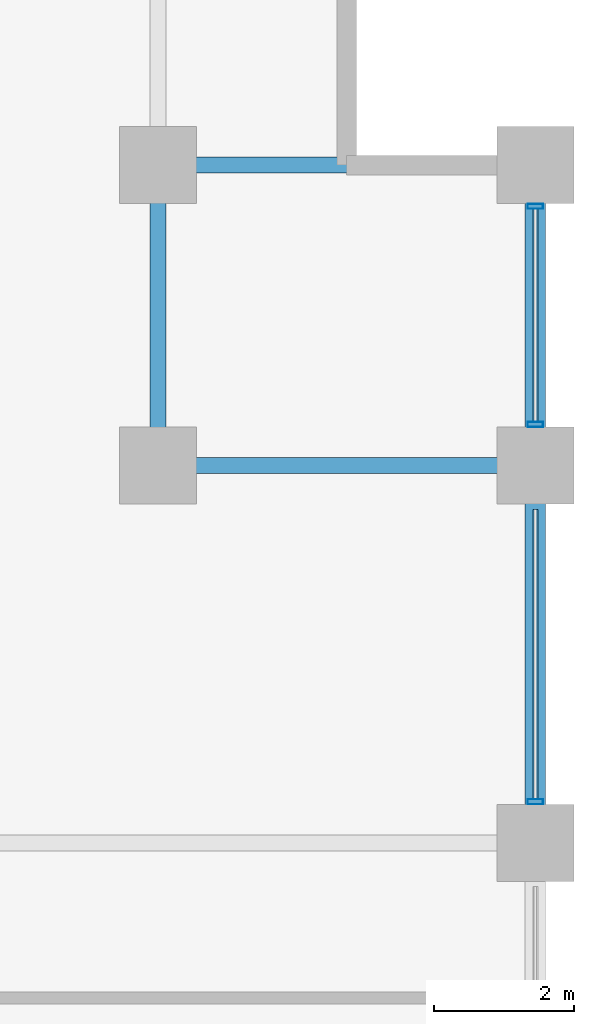
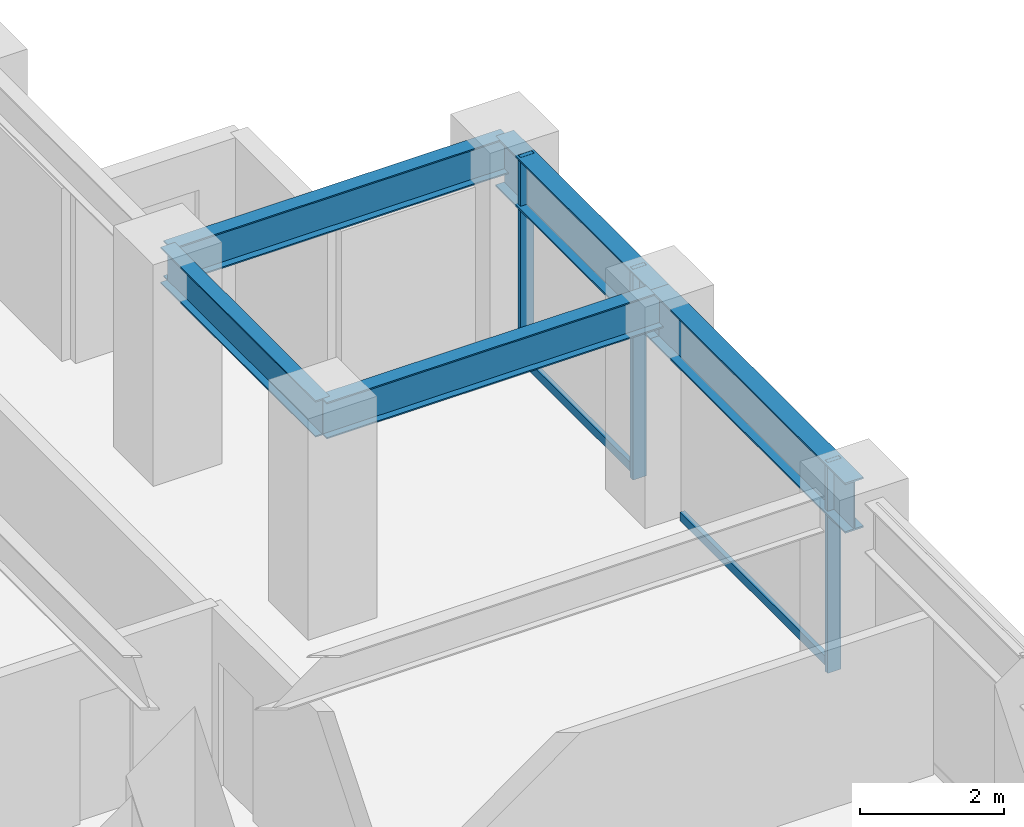
# One storey, part 15 of 25: 5 beams, 5 members, 1 element without a shape of its own.
"""IFC4 building model written with IfcOpenShell, lengths in metres."""

from ifc_helpers import new_model, si_unit, direction, frame, origin, origin_2d, place, context, subcontext, project, spatial, hollow_rectangle, i_section, extrude, material, layer, layer_set, material_profile, profile_set, type_object, element, aggregate, save


model = new_model("IFC4")

# Units and contexts
model_context = context("Model", 3, precision=1e-05, world=origin(), true_north=direction((0.0, 1.0)))
body_context = subcontext(model_context, "Body", "Model", "MODEL_VIEW")
ifc_project = project(units=[si_unit("LENGTHUNIT", "METRE"), si_unit("AREAUNIT", "SQUARE_METRE"), si_unit("VOLUMEUNIT", "CUBIC_METRE"), si_unit("PLANEANGLEUNIT", "RADIAN"), si_unit("MASSUNIT", "GRAM", prefix="KILO")], contexts=[model_context])

# Site, building, storey
site_placement = place(None, origin())
site = spatial("IfcSite", under=ifc_project, at=site_placement, CompositionType="ELEMENT")
building_placement = place(site_placement, origin())
building = spatial("IfcBuilding", under=site, at=building_placement, Name="Surkhivell Harbour Commons", CompositionType="ELEMENT")
storey_placement = place(building_placement, frame((0.0, 0.0, 113.25)))
storey = spatial("IfcBuildingStorey", under=building, at=storey_placement, Name="L29", CompositionType="ELEMENT", Elevation=113.25)

# Beams
ifc_material_1 = material(Name="Steel S355", Category="steel")
ifc_material_profile_1 = material_profile(ifc_material_1, i_section(OverallWidth=0.22998046875, OverallDepth=0.616943359375, WebThickness=0.01318359375, FlangeThickness=0.022216796875, at=origin_2d()), Name="UB610x229x140")
ifc_profile_set_1 = profile_set([ifc_material_profile_1], Name="Steel S355")
beam_type_1 = type_object("IfcBeamType", Name="BM-GRD-610B", PredefinedType="BEAM", material=ifc_profile_set_1)
beam_1_placement = place(storey_placement, frame((16.199951171875, 16.199951171875, 3.261474609375), z_axis=(0.0, 1.0, 0.0), x_axis=(-1.0, 0.0, 0.0)))
element("IfcBeam", 1, at=beam_1_placement, inside=storey, type_object=beam_type_1, Name="L29 Floor Girder (16.2,16.2)", PredefinedType="BEAM", context=body_context, shape_type="SweptSolid", body=[
    extrude(i_section(OverallWidth=0.22998046875, OverallDepth=0.616943359375, WebThickness=0.01318359375, FlangeThickness=0.022216796875, at=origin_2d()), origin(), (0.0, 0.0, 1.0), 4.300048828125),
])
for number, where, z_axis, x_axis, name in (
    (2, (16.199951171875, 16.199951171875, 3.261474609375), (1.0, 0.0, 0.0), (0.0, 1.0, 0.0), "L29 Floor Girder (16.2,16.2)"),
    (3, (16.199951171875, 20.5, 3.261474609375), (1.0, 0.0, 0.0), (0.0, 1.0, 0.0), "L29 Floor Girder (16.2,20.5)"),
):
    element("IfcBeam", number, at=place(storey_placement, frame(where, z_axis=z_axis, x_axis=x_axis)), inside=storey, type_object=beam_type_1, Name=name, PredefinedType="BEAM", context=body_context, shape_type="SweptSolid", body=[
        extrude(i_section(OverallWidth=0.22998046875, OverallDepth=0.616943359375, WebThickness=0.01318359375, FlangeThickness=0.022216796875, at=origin_2d()), origin(), (0.0, 0.0, 1.0), 5.400146484375),
    ])
ifc_material_2 = material(Name="Steel S460", Category="steel")
ifc_material_profile_2 = material_profile(ifc_material_2, i_section(OverallWidth=0.2939453125, OverallDepth=0.85107421875, WebThickness=0.01611328125, FlangeThickness=0.02685546875, at=origin_2d()), Name="UB838x292x226")
ifc_profile_set_2 = profile_set([ifc_material_profile_2], Name="Steel S460")
beam_type_2 = type_object("IfcBeamType", Name="BM-SPN-838", PredefinedType="SPANDREL", material=ifc_profile_set_2)
beam_2_placement = place(storey_placement, frame((21.60009765625, 10.800048828125, 3.14453125), z_axis=(0.0, 1.0, 0.0), x_axis=(-1.0, 0.0, 0.0)))
element("IfcBeam", 4, at=beam_2_placement, inside=storey, type_object=beam_type_2, Name="L29 Tube Spandrel (21.6,10.8)", PredefinedType="SPANDREL", context=body_context, shape_type="SweptSolid", body=[
    extrude(i_section(OverallWidth=0.2939453125, OverallDepth=0.85107421875, WebThickness=0.01611328125, FlangeThickness=0.02685546875, at=origin_2d()), origin(), (0.0, 0.0, 1.0), 5.39990234375),
])
beam_3_placement = place(storey_placement, frame((21.60009765625, 16.199951171875, 3.14453125), z_axis=(0.0, 1.0, 0.0), x_axis=(-1.0, 0.0, 0.0)))
element("IfcBeam", 5, at=beam_3_placement, inside=storey, type_object=beam_type_2, Name="L29 Tube Spandrel (21.6,16.2)", PredefinedType="SPANDREL", context=body_context, shape_type="SweptSolid", body=[
    extrude(i_section(OverallWidth=0.2939453125, OverallDepth=0.85107421875, WebThickness=0.01611328125, FlangeThickness=0.02685546875, at=origin_2d()), origin(), (0.0, 0.0, 1.0), 4.300048828125),
])

# Curtain wall, members
ifc_material_3 = material(Name="Anodised pale-metal aluminium and insulated glazing", Category="aluminium")
ifc_layer = layer(ifc_material_3, 0.205078125)
ifc_layer_set = layer_set([ifc_layer], Name="Anodised pale-metal aluminium and insulated glazing")
curtain_wall_type = type_object("IfcCurtainWallType", Name="CW-SYS-Z2", PredefinedType="NOTDEFINED", material=ifc_layer_set)
curtain_wall_placement = place(storey_placement, origin())
curtain_wall = element("IfcCurtainWall", 6, at=curtain_wall_placement, inside=storey, type_object=curtain_wall_type, Name="L29 Curtain Wall CW-L29-E02", PredefinedType="NOTDEFINED")
ifc_material_4 = material(Name="Anodised pale-metal aluminium alloy 6063-T6", Category="aluminium")
ifc_material_profile_3 = material_profile(ifc_material_4, hollow_rectangle(XDim=0.074951171875, YDim=0.219970703125, WallThickness=0.00390625, at=origin_2d()), Name="ALU-MULL-75x220")
ifc_profile_set_3 = profile_set([ifc_material_profile_3], Name="Anodised pale-metal aluminium alloy 6063-T6")
member_type_1 = type_object("IfcMemberType", Name="CWM-220", PredefinedType="MULLION", material=ifc_profile_set_3)
member_1_placement = place(storey_placement, frame((21.60009765625, 11.389404296875, 0.0), z_axis=(0.0, 0.0, 1.0), x_axis=(0.0, 1.0, 0.0)))
member_1 = element("IfcMember", 7, at=member_1_placement, type_object=member_type_1, Name="CW-Z2 mullion 4", PredefinedType="MULLION", context=body_context, shape_type="SweptSolid", body=[
    extrude(hollow_rectangle(XDim=0.074951171875, YDim=0.219970703125, WallThickness=0.00390625, at=origin_2d()), origin(), (0.0, 0.0, 1.0), 3.570068359375),
])
member_2_placement = place(storey_placement, frame((21.60009765625, 16.78955078125, 0.0), z_axis=(0.0, 0.0, 1.0), x_axis=(0.0, 1.0, 0.0)))
member_2 = element("IfcMember", 8, at=member_2_placement, type_object=member_type_1, Name="CW-Z2 mullion 5", PredefinedType="MULLION", context=body_context, shape_type="SweptSolid", body=[
    extrude(hollow_rectangle(XDim=0.074951171875, YDim=0.219970703125, WallThickness=0.00390625, at=origin_2d()), origin(), (0.0, 0.0, 1.0), 3.570068359375),
])
member_3_placement = place(storey_placement, frame((21.60009765625, 19.910400390625, 0.0), z_axis=(0.0, 0.0, 1.0), x_axis=(0.0, 1.0, 0.0)))
member_3 = element("IfcMember", 9, at=member_3_placement, type_object=member_type_1, Name="CW-Z2 mullion 6", PredefinedType="MULLION", context=body_context, shape_type="SweptSolid", body=[
    extrude(hollow_rectangle(XDim=0.074951171875, YDim=0.219970703125, WallThickness=0.00390625, at=origin_2d()), origin(), (0.0, 0.0, 1.0), 3.570068359375),
])
ifc_material_profile_4 = material_profile(ifc_material_4, hollow_rectangle(XDim=0.074951171875, YDim=0.14990234375, WallThickness=0.00341796875, at=origin_2d()), Name="ALU-TRAN-75x150")
ifc_profile_set_4 = profile_set([ifc_material_profile_4], Name="Anodised pale-metal aluminium alloy 6063-T6")
member_type_2 = type_object("IfcMemberType", Name="CWT-150", PredefinedType="USERDEFINED", material=ifc_profile_set_4)
member_4_placement = place(storey_placement, frame((21.60009765625, 11.427001953125, 0.074951171875), z_axis=(0.0, 1.0, 0.0), x_axis=(-1.0, 0.0, 0.0)))
member_4 = element("IfcMember", 10, at=member_4_placement, type_object=member_type_2, Name="CW-Z2 transom 4.1", ObjectType="TRANSOM", PredefinedType="USERDEFINED", context=body_context, shape_type="SweptSolid", body=[
    extrude(hollow_rectangle(XDim=0.074951171875, YDim=0.14990234375, WallThickness=0.00341796875, at=origin_2d()), origin(), (0.0, 0.0, 1.0), 4.14599609375),
])
member_5_placement = place(storey_placement, frame((21.60009765625, 16.826904296875, 0.074951171875), z_axis=(0.0, 1.0, 0.0), x_axis=(-1.0, 0.0, 0.0)))
member_5 = element("IfcMember", 11, at=member_5_placement, type_object=member_type_2, Name="CW-Z2 transom 5.1", ObjectType="TRANSOM", PredefinedType="USERDEFINED", context=body_context, shape_type="SweptSolid", body=[
    extrude(hollow_rectangle(XDim=0.074951171875, YDim=0.14990234375, WallThickness=0.00341796875, at=origin_2d()), origin(), (0.0, 0.0, 1.0), 3.046142578125),
])
aggregate(curtain_wall, [member_1, member_4, member_2, member_3, member_5])

save(model, "model.ifc")
